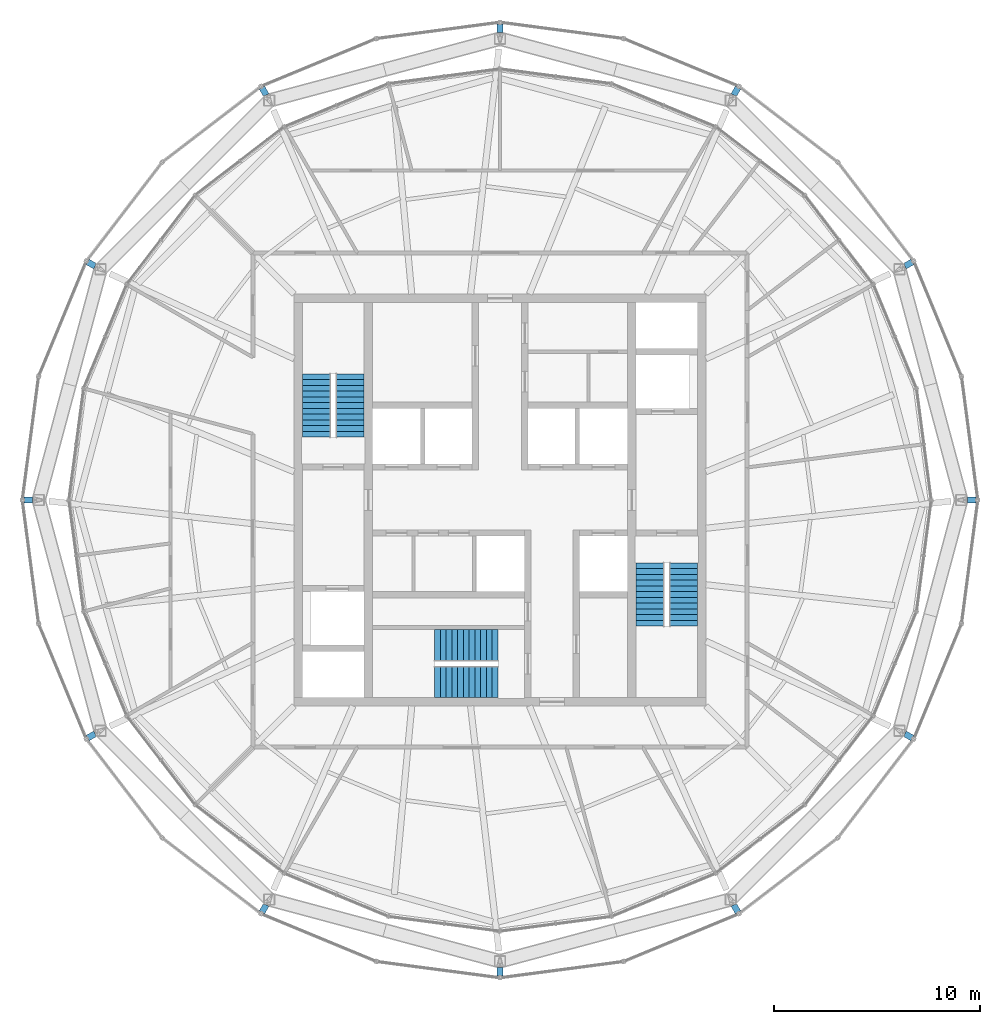
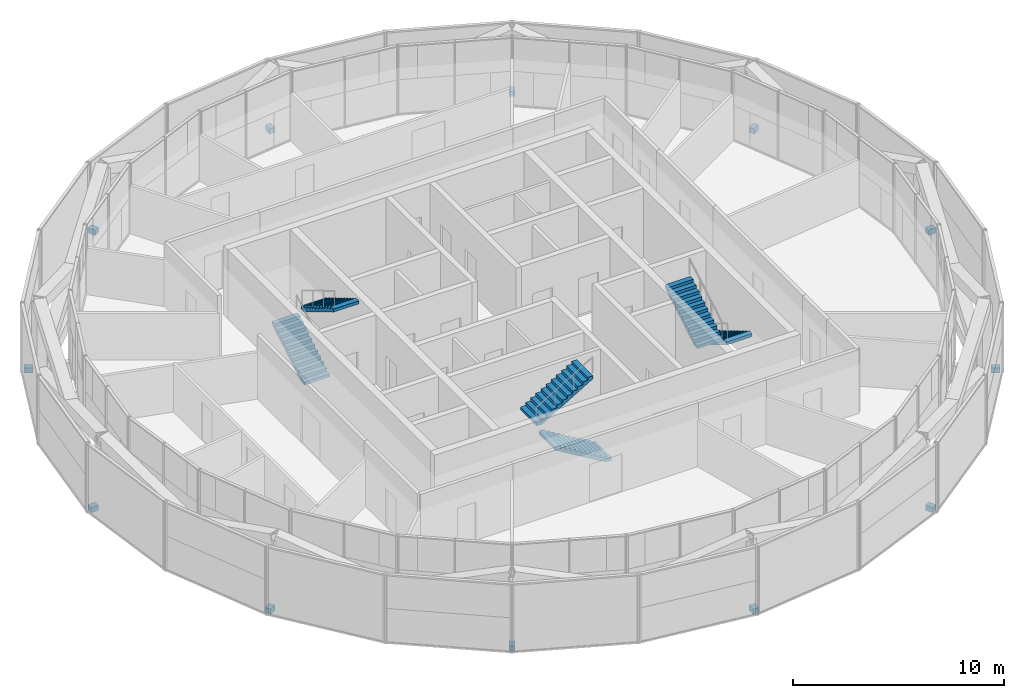
# One storey, part 16 of 17: 12 discrete accessories, 6 stair flights, 3 elements without a shape of their own.
"""IFC4 building model written with IfcOpenShell, lengths in metres."""

from ifc_helpers import new_model, si_unit, direction, frame, origin, origin_2d, place, context, subcontext, project, spatial, polyline, rectangle, outline, extrude, material, type_object, element, aggregate, save


model = new_model("IFC4")

# Units and contexts
model_context = context("Model", 3, precision=1e-05, world=origin(), true_north=direction((0.0, 1.0)))
body_context = subcontext(model_context, "Body", "Model", "MODEL_VIEW")
ifc_project = project(units=[si_unit("LENGTHUNIT", "METRE"), si_unit("AREAUNIT", "SQUARE_METRE"), si_unit("VOLUMEUNIT", "CUBIC_METRE"), si_unit("PLANEANGLEUNIT", "RADIAN"), si_unit("MASSUNIT", "GRAM", prefix="KILO")], contexts=[model_context])

# Site, building, storey
site_placement = place(None, origin())
site = spatial("IfcSite", under=ifc_project, at=site_placement, CompositionType="ELEMENT")
building_placement = place(site_placement, origin())
building = spatial("IfcBuilding", under=site, at=building_placement, Name="Golbaran Civic Tower", CompositionType="ELEMENT")
storey_placement = place(building_placement, frame((0.0, 0.0, 280.0)))
storey = spatial("IfcBuildingStorey", under=building, at=storey_placement, Name="L68", CompositionType="ELEMENT", Elevation=280.0)

# Stair, stair flights
ifc_material_1 = material(Name="Concrete C35/45", Category="concrete")
stair_type_1 = type_object("IfcStairType", Name="EXIT STAIR 3000 x 7850, 4000 RISE", PredefinedType="HALF_TURN_STAIR", material=ifc_material_1)
stair_1_placement = place(storey_placement, origin())
stair_1 = element("IfcStair", 1, at=stair_1_placement, inside=storey, type_object=stair_type_1, Name="Stair S1 L68", PredefinedType="HALF_TURN_STAIR")
stair_flight_type_1 = type_object("IfcStairFlightType", Name="STAIR FLIGHT 1400 WIDE", PredefinedType="STRAIGHT", material=ifc_material_1)
stair_flight_1_placement = place(storey_placement, frame((-8.89990234375, 3.050048828125, 0.0), z_axis=(0.0, 0.0, 1.0), x_axis=(0.0, 1.0, 0.0)))
stair_flight_1 = element("IfcStairFlight", 2, at=stair_flight_1_placement, type_object=stair_flight_type_1, Name="ST30078-40 flight 1", NumberOfRisers=12, NumberOfTreads=11, PredefinedType="STRAIGHT", RiserHeight=0.166666667, TreadLength=0.28, context=body_context, shape_type="SweptSolid", body=[
    extrude(outline(polyline([(0.0, 0.0), (0.0, 0.166748046875), (0.280029296875, 0.166748046875), (0.280029296875, 0.333251953125), (0.56005859375, 0.333251953125), (0.56005859375, 0.5), (0.840087890625, 0.5), (0.840087890625, 0.666748046875), (1.1201171875, 0.666748046875), (1.1201171875, 0.833251953125), (1.39990234375, 0.833251953125), (1.39990234375, 1.0), (1.679931640625, 1.0), (1.679931640625, 1.166748046875), (1.9599609375, 1.166748046875), (1.9599609375, 1.333251953125), (2.239990234375, 1.333251953125), (2.239990234375, 1.5), (2.52001953125, 1.5), (2.52001953125, 1.666748046875), (2.800048828125, 1.666748046875), (2.800048828125, 1.833251953125), (3.080078125, 1.833251953125), (3.080078125, 2.0), (3.080078125, 1.658935546875), (0.29296875, 0.0), (0.0, 0.0)])), frame((0.0, 0.699951171875, 0.0), z_axis=(0.0, -1.0, 0.0), x_axis=(1.0, 0.0, 0.0)), (0.0, 0.0, 1.0), 1.39990234375),
])
stair_flight_2_placement = place(storey_placement, frame((-7.300048828125, 6.1298828125, 2.0), z_axis=(0.0, 0.0, 1.0), x_axis=(0.0, -1.0, 0.0)))
stair_flight_2 = element("IfcStairFlight", 3, at=stair_flight_2_placement, type_object=stair_flight_type_1, Name="ST30078-40 flight 2", NumberOfRisers=12, NumberOfTreads=11, PredefinedType="STRAIGHT", RiserHeight=0.166666667, TreadLength=0.28, context=body_context, shape_type="SweptSolid", body=[
    extrude(outline(polyline([(0.0, 0.0), (0.0, 0.166748046875), (0.280029296875, 0.166748046875), (0.280029296875, 0.333251953125), (0.56005859375, 0.333251953125), (0.56005859375, 0.5), (0.840087890625, 0.5), (0.840087890625, 0.666748046875), (1.1201171875, 0.666748046875), (1.1201171875, 0.833251953125), (1.39990234375, 0.833251953125), (1.39990234375, 1.0), (1.679931640625, 1.0), (1.679931640625, 1.166748046875), (1.9599609375, 1.166748046875), (1.9599609375, 1.333251953125), (2.239990234375, 1.333251953125), (2.239990234375, 1.5), (2.52001953125, 1.5), (2.52001953125, 1.666748046875), (2.800048828125, 1.666748046875), (2.800048828125, 1.833251953125), (3.080078125, 1.833251953125), (3.080078125, 2.0), (3.080078125, 1.658935546875), (0.29296875, 0.0), (0.0, 0.0)])), frame((0.0, 0.699951171875, 0.0), z_axis=(0.0, -1.0, 0.0), x_axis=(1.0, 0.0, 0.0)), (0.0, 0.0, 1.0), 1.39990234375),
])
aggregate(stair_1, [stair_flight_1, stair_flight_2])

stair_2_placement = place(storey_placement, origin())
stair_2 = element("IfcStair", 4, at=stair_2_placement, inside=storey, type_object=stair_type_1, Name="Stair S2 L68", PredefinedType="HALF_TURN_STAIR")
stair_flight_3_placement = place(storey_placement, frame((8.89990234375, -3.050048828125, 0.0), z_axis=(0.0, 0.0, 1.0), x_axis=(0.0, -1.0, 0.0)))
stair_flight_3 = element("IfcStairFlight", 5, at=stair_flight_3_placement, type_object=stair_flight_type_1, Name="ST30078-40 flight 1", NumberOfRisers=12, NumberOfTreads=11, PredefinedType="STRAIGHT", RiserHeight=0.166666667, TreadLength=0.28, context=body_context, shape_type="SweptSolid", body=[
    extrude(outline(polyline([(0.0, 0.0), (0.0, 0.166748046875), (0.280029296875, 0.166748046875), (0.280029296875, 0.333251953125), (0.56005859375, 0.333251953125), (0.56005859375, 0.5), (0.840087890625, 0.5), (0.840087890625, 0.666748046875), (1.1201171875, 0.666748046875), (1.1201171875, 0.833251953125), (1.39990234375, 0.833251953125), (1.39990234375, 1.0), (1.679931640625, 1.0), (1.679931640625, 1.166748046875), (1.9599609375, 1.166748046875), (1.9599609375, 1.333251953125), (2.239990234375, 1.333251953125), (2.239990234375, 1.5), (2.52001953125, 1.5), (2.52001953125, 1.666748046875), (2.800048828125, 1.666748046875), (2.800048828125, 1.833251953125), (3.080078125, 1.833251953125), (3.080078125, 2.0), (3.080078125, 1.658935546875), (0.29296875, 0.0), (0.0, 0.0)])), frame((0.0, 0.699951171875, 0.0), z_axis=(0.0, -1.0, 0.0), x_axis=(1.0, 0.0, 0.0)), (0.0, 0.0, 1.0), 1.39990234375),
])
stair_flight_4_placement = place(storey_placement, frame((7.300048828125, -6.1298828125, 2.0), z_axis=(0.0, 0.0, 1.0), x_axis=(0.0, 1.0, 0.0)))
stair_flight_4 = element("IfcStairFlight", 6, at=stair_flight_4_placement, type_object=stair_flight_type_1, Name="ST30078-40 flight 2", NumberOfRisers=12, NumberOfTreads=11, PredefinedType="STRAIGHT", RiserHeight=0.166666667, TreadLength=0.28, context=body_context, shape_type="SweptSolid", body=[
    extrude(outline(polyline([(0.0, 0.0), (0.0, 0.166748046875), (0.280029296875, 0.166748046875), (0.280029296875, 0.333251953125), (0.56005859375, 0.333251953125), (0.56005859375, 0.5), (0.840087890625, 0.5), (0.840087890625, 0.666748046875), (1.1201171875, 0.666748046875), (1.1201171875, 0.833251953125), (1.39990234375, 0.833251953125), (1.39990234375, 1.0), (1.679931640625, 1.0), (1.679931640625, 1.166748046875), (1.9599609375, 1.166748046875), (1.9599609375, 1.333251953125), (2.239990234375, 1.333251953125), (2.239990234375, 1.5), (2.52001953125, 1.5), (2.52001953125, 1.666748046875), (2.800048828125, 1.666748046875), (2.800048828125, 1.833251953125), (3.080078125, 1.833251953125), (3.080078125, 2.0), (3.080078125, 1.658935546875), (0.29296875, 0.0), (0.0, 0.0)])), frame((0.0, 0.699951171875, 0.0), z_axis=(0.0, -1.0, 0.0), x_axis=(1.0, 0.0, 0.0)), (0.0, 0.0, 1.0), 1.39990234375),
])
aggregate(stair_2, [stair_flight_3, stair_flight_4])

stair_type_2 = type_object("IfcStairType", Name="EXIT STAIR 3300 x 7400, 4000 RISE", PredefinedType="HALF_TURN_STAIR", material=ifc_material_1)
stair_3_placement = place(storey_placement, origin())
stair_3 = element("IfcStair", 7, at=stair_3_placement, inside=storey, type_object=stair_type_2, Name="Stair S3 L68", PredefinedType="HALF_TURN_STAIR")
stair_flight_type_2 = type_object("IfcStairFlightType", Name="STAIR FLIGHT 1550 WIDE", PredefinedType="STRAIGHT", material=ifc_material_1)
stair_flight_5_placement = place(storey_placement, frame((-0.10009765625, -8.824951171875, 0.0), z_axis=(0.0, 0.0, 1.0), x_axis=(-1.0, 0.0, 0.0)))
stair_flight_5 = element("IfcStairFlight", 8, at=stair_flight_5_placement, type_object=stair_flight_type_2, Name="ST33074-40 flight 1", NumberOfRisers=12, NumberOfTreads=11, PredefinedType="STRAIGHT", RiserHeight=0.166666667, TreadLength=0.28, context=body_context, shape_type="SweptSolid", body=[
    extrude(outline(polyline([(0.0, 0.0), (0.0, 0.166748046875), (0.280029296875, 0.166748046875), (0.280029296875, 0.333251953125), (0.56005859375, 0.333251953125), (0.56005859375, 0.5), (0.840087890625, 0.5), (0.840087890625, 0.666748046875), (1.1201171875, 0.666748046875), (1.1201171875, 0.833251953125), (1.39990234375, 0.833251953125), (1.39990234375, 1.0), (1.679931640625, 1.0), (1.679931640625, 1.166748046875), (1.9599609375, 1.166748046875), (1.9599609375, 1.333251953125), (2.239990234375, 1.333251953125), (2.239990234375, 1.5), (2.52001953125, 1.5), (2.52001953125, 1.666748046875), (2.800048828125, 1.666748046875), (2.800048828125, 1.833251953125), (3.080078125, 1.833251953125), (3.080078125, 2.0), (3.080078125, 1.658935546875), (0.29296875, 0.0), (0.0, 0.0)])), frame((0.0, 0.77490234375, 0.0), z_axis=(0.0, -1.0, 0.0), x_axis=(1.0, 0.0, 0.0)), (0.0, 0.0, 1.0), 1.550048828125),
])
stair_flight_6_placement = place(storey_placement, frame((-3.179931640625, -7.074951171875, 2.0), z_axis=(0.0, 0.0, 1.0), x_axis=(1.0, 0.0, 0.0)))
stair_flight_6 = element("IfcStairFlight", 9, at=stair_flight_6_placement, type_object=stair_flight_type_2, Name="ST33074-40 flight 2", NumberOfRisers=12, NumberOfTreads=11, PredefinedType="STRAIGHT", RiserHeight=0.166666667, TreadLength=0.28, context=body_context, shape_type="SweptSolid", body=[
    extrude(outline(polyline([(0.0, 0.0), (0.0, 0.166748046875), (0.280029296875, 0.166748046875), (0.280029296875, 0.333251953125), (0.56005859375, 0.333251953125), (0.56005859375, 0.5), (0.840087890625, 0.5), (0.840087890625, 0.666748046875), (1.1201171875, 0.666748046875), (1.1201171875, 0.833251953125), (1.39990234375, 0.833251953125), (1.39990234375, 1.0), (1.679931640625, 1.0), (1.679931640625, 1.166748046875), (1.9599609375, 1.166748046875), (1.9599609375, 1.333251953125), (2.239990234375, 1.333251953125), (2.239990234375, 1.5), (2.52001953125, 1.5), (2.52001953125, 1.666748046875), (2.800048828125, 1.666748046875), (2.800048828125, 1.833251953125), (3.080078125, 1.833251953125), (3.080078125, 2.0), (3.080078125, 1.658935546875), (0.29296875, 0.0), (0.0, 0.0)])), frame((0.0, 0.77490234375, 0.0), z_axis=(0.0, -1.0, 0.0), x_axis=(1.0, 0.0, 0.0)), (0.0, 0.0, 1.0), 1.550048828125),
])
aggregate(stair_3, [stair_flight_5, stair_flight_6])

# Discrete accessories
ifc_material_2 = material(Name="Steel S355", Category="steel")
discrete_accessory_type = type_object("IfcDiscreteAccessoryType", Name="OUTER SKIN BRACKET", PredefinedType="BRACKET", material=ifc_material_2)
for number, where, z_axis, x_axis, name in (
    (10, (22.909912109375, 0.0, -0.7099609375), (0.0, 0.0, 1.0), (1.0, 0.0, 0.0), "Outer skin bracket L68 node 1"),
    (11, (19.840576171875, 11.455078125, -0.7099609375), (0.0, 0.0, 1.0), (0.866025403784, 0.5, 0.0), "Outer skin bracket L68 node 2"),
    (12, (11.455078125, 19.840576171875, -0.7099609375), (0.0, 0.0, 1.0), (0.5, 0.866025403784, 0.0), "Outer skin bracket L68 node 3"),
    (13, (0.0, 22.909912109375, -0.7099609375), (0.0, 0.0, 1.0), (0.0, 1.0, 0.0), "Outer skin bracket L68 node 4"),
    (14, (-11.455078125, 19.840576171875, -0.7099609375), (0.0, 0.0, 1.0), (-0.5, 0.866025403784, 0.0), "Outer skin bracket L68 node 5"),
    (15, (-19.840576171875, 11.455078125, -0.7099609375), (0.0, 0.0, 1.0), (-0.866025403784, 0.5, 0.0), "Outer skin bracket L68 node 6"),
    (16, (-22.909912109375, 0.0, -0.7099609375), (0.0, 0.0, 1.0), (-1.0, 0.0, 0.0), "Outer skin bracket L68 node 7"),
    (17, (-19.840576171875, -11.455078125, -0.7099609375), (0.0, 0.0, 1.0), (-0.866025403784, -0.5, 0.0), "Outer skin bracket L68 node 8"),
    (18, (-11.455078125, -19.840576171875, -0.7099609375), (0.0, 0.0, 1.0), (-0.5, -0.866025403784, 0.0), "Outer skin bracket L68 node 9"),
    (19, (0.0, -22.909912109375, -0.7099609375), (0.0, 0.0, 1.0), (0.0, -1.0, 0.0), "Outer skin bracket L68 node 10"),
    (20, (11.455078125, -19.840576171875, -0.7099609375), (0.0, 0.0, 1.0), (0.5, -0.866025403784, 0.0), "Outer skin bracket L68 node 11"),
    (21, (19.840576171875, -11.455078125, -0.7099609375), (0.0, 0.0, 1.0), (0.866025403784, -0.5, 0.0), "Outer skin bracket L68 node 12"),
):
    element("IfcDiscreteAccessory", number, at=place(storey_placement, frame(where, z_axis=z_axis, x_axis=x_axis)), inside=storey, type_object=discrete_accessory_type, Name=name, PredefinedType="BRACKET", context=body_context, shape_type="SweptSolid", body=[
        extrude(rectangle(XDim=0.419921875, YDim=0.300048828125, at=origin_2d()), origin(), (0.0, 0.0, 1.0), 0.300048828125),
    ])

save(model, "model.ifc")
